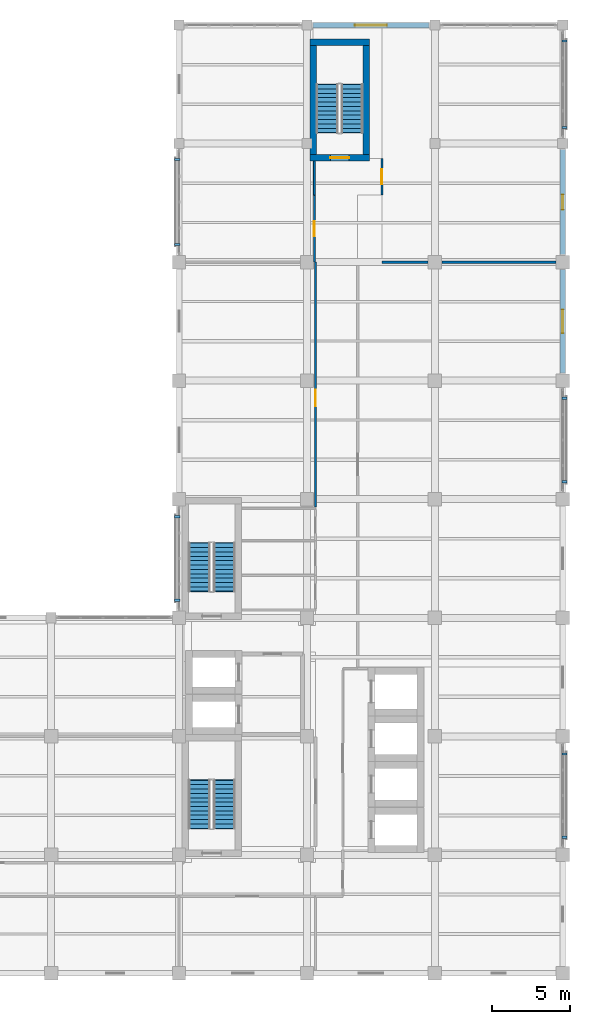
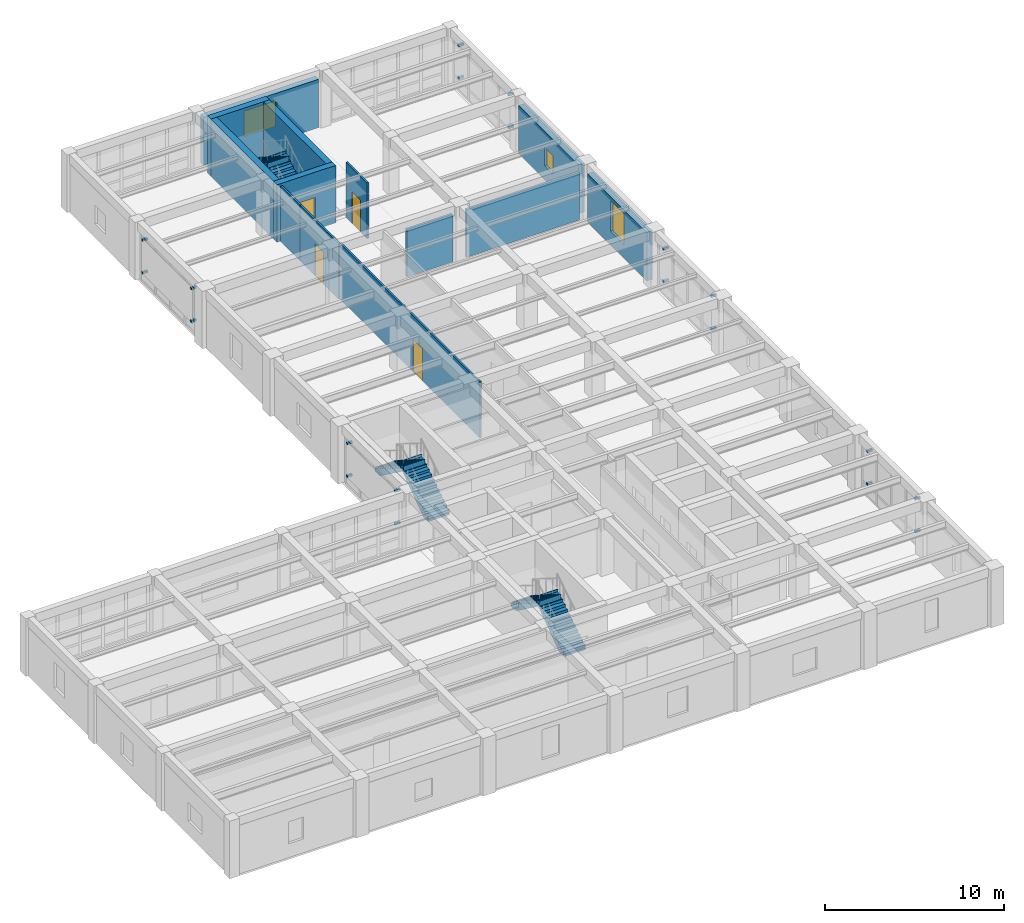
# One storey, part 11 of 16: 20 discrete accessories, 13 walls, 6 stair flights, 4 doors, 3 windows, 7 openings, 3 elements without a shape of their own.
"""IFC4 building model written with IfcOpenShell, lengths in metres."""

import ifcopenshell
import ifcopenshell.guid

model = None  # the IFC model being written
_history = None  # IfcOwnerHistory: only IFC2X3 demands one
_inside = {}  # id of a spatial element -> (the spatial element, [elements in it])
_under = {}  # id of a project, library or spatial element -> (it, [spatial elements below it])
_declared = {}  # id of a project -> (the project, [libraries it declares])
_typed = {}  # id of a type object -> (the type object, [elements of that type])
_made_of = {}  # id of a material, layer set ... -> (it, [elements and type objects made of it])


def new_model(schema):
    """Start an empty IFC model of exactly this schema.

    Asked for "IFC4X3", IfcOpenShell would pick the latest addendum, in which some entities
    have other attributes; the version numbers below select the first issue.
    IFC2X3 requires an IfcOwnerHistory on every rooted entity: one is made here for all.
    """
    global model, _history
    if schema == "IFC4X3":
        model = ifcopenshell.file(schema_version=(4, 3, 0, 0))
    else:
        model = ifcopenshell.file(schema=schema)
    _inside.clear()
    _under.clear()
    _declared.clear()
    _typed.clear()
    _made_of.clear()
    _history = None
    if model.schema == "IFC2X3":
        org = make("IfcOrganization", Name="unknown")
        user = make(
            "IfcPersonAndOrganization",
            ThePerson=make("IfcPerson", FamilyName="unknown"),
            TheOrganization=org,
        )
        app = make(
            "IfcApplication",
            ApplicationDeveloper=org,
            Version="unknown",
            ApplicationFullName="unknown",
            ApplicationIdentifier="unknown",
        )
        _history = make(
            "IfcOwnerHistory",
            OwningUser=user,
            OwningApplication=app,
            ChangeAction="ADDED",
            CreationDate=0,
        )
    return model


def make(cls, **values):
    """One entity of the class cls with the attributes given. An attribute that is None is left unset."""
    return model.create_entity(
        cls, **{name: value for name, value in values.items() if value is not None}
    )


def rooted(cls, **values):
    """An entity with a GlobalId (a new one), such as an element, a storey or a relation."""
    return make(cls, GlobalId=ifcopenshell.guid.new(), OwnerHistory=_history, **values)


def si_unit(unit_type, name, prefix=None):
    """IfcSIUnit, for example si_unit("LENGTHUNIT", "METRE", prefix="MILLI")."""
    return make("IfcSIUnit", UnitType=unit_type, Prefix=prefix, Name=name)


def assignment(units):
    """IfcUnitAssignment: the units of a project."""
    return None if units is None else make("IfcUnitAssignment", Units=units)


def point(xyz):
    """IfcCartesianPoint."""
    return None if xyz is None else make("IfcCartesianPoint", Coordinates=xyz)


def direction(xyz):
    """IfcDirection."""
    return None if xyz is None else make("IfcDirection", DirectionRatios=xyz)


def frame(location, z_axis=None, x_axis=None):
    """IfcAxis2Placement3D, a coordinate frame: its origin and axes. An axis left out is left unset."""
    return make(
        "IfcAxis2Placement3D",
        Location=point(location),
        Axis=direction(z_axis),
        RefDirection=direction(x_axis),
    )


def frame_2d(location, x_axis=None):
    """IfcAxis2Placement2D, a coordinate frame in the plane: its origin and x axis."""
    return make(
        "IfcAxis2Placement2D", Location=point(location), RefDirection=direction(x_axis)
    )


def origin():
    """The frame at (0, 0, 0) with its axes left unset."""
    return frame((0.0, 0.0, 0.0))


def origin_2d():
    """The frame at (0, 0) in the plane with its x axis left unset."""
    return frame_2d((0.0, 0.0))


def place(relative_to, where):
    """IfcLocalPlacement: puts the frame where relative to a parent placement (None: the world)."""
    return make(
        "IfcLocalPlacement", PlacementRelTo=relative_to, RelativePlacement=where
    )


def context(
    kind, dimensions, precision=None, world=None, true_north=None, identifier=None
):
    """IfcGeometricRepresentationContext, for example the 3D "Model" context."""
    return make(
        "IfcGeometricRepresentationContext",
        ContextIdentifier=identifier,
        ContextType=kind,
        CoordinateSpaceDimension=dimensions,
        Precision=precision,
        WorldCoordinateSystem=world,
        TrueNorth=true_north,
    )


def subcontext(parent, identifier, kind, view, scale=None):
    """IfcGeometricRepresentationSubContext, for example "Body" below "Model"."""
    return make(
        "IfcGeometricRepresentationSubContext",
        ContextIdentifier=identifier,
        ContextType=kind,
        ParentContext=parent,
        TargetScale=scale,
        TargetView=view,
    )


def project(units=None, contexts=None):
    """IfcProject with its units and contexts."""
    return rooted(
        "IfcProject",
        Name="project",
        RepresentationContexts=contexts,
        UnitsInContext=assignment(units),
    )


def spatial(cls, under=None, at=None, **own):
    """A site, building, storey or space (cls), placed at a placement, below another one or the project."""
    s = rooted(cls, ObjectPlacement=at, **own)
    if under is not None:
        _under.setdefault(under.id(), (under, []))[1].append(s)
    return s


def polyline(points):
    """IfcPolyline through the points."""
    return make("IfcPolyline", Points=[point(p) for p in points])


def profile(cls, at=None, kind="AREA", **sizes):
    """A parametric profile (cls). Its sizes go by their IFC names, for example OverallWidth=200.0."""
    return make(cls, ProfileType=kind, Position=at, **sizes)


def rectangle(**sizes):
    """IfcRectangleProfileDef."""
    return profile("IfcRectangleProfileDef", **sizes)


def outline(outer, holes=None, kind="AREA"):
    """IfcArbitraryClosedProfileDef: a profile drawn as a closed curve; with holes, ...WithVoids."""
    if holes is None:
        return make("IfcArbitraryClosedProfileDef", ProfileType=kind, OuterCurve=outer)
    return make(
        "IfcArbitraryProfileDefWithVoids",
        ProfileType=kind,
        OuterCurve=outer,
        InnerCurves=holes,
    )


def extrude(swept, where, along, depth):
    """IfcExtrudedAreaSolid: the profile swept, set in the frame where, extruded along a direction by depth."""
    return make(
        "IfcExtrudedAreaSolid",
        SweptArea=swept,
        Position=where,
        ExtrudedDirection=direction(along),
        Depth=depth,
    )


def shape(context_of_items, identifier, shape_type, items):
    """IfcShapeRepresentation: the items that make up one representation, for example the "Body"."""
    return make(
        "IfcShapeRepresentation",
        ContextOfItems=context_of_items,
        RepresentationIdentifier=identifier,
        RepresentationType=shape_type,
        Items=items,
    )


def material(Name=None, Category=None):
    """IfcMaterial."""
    return make("IfcMaterial", Name=Name, Category=Category)


def layer(
    of_material, thickness, ventilated=None, Name=None, Category=None, Priority=None
):
    """IfcMaterialLayer: one layer of a wall or slab, of a material (None: an air gap)."""
    return make(
        "IfcMaterialLayer",
        Material=of_material,
        LayerThickness=thickness,
        IsVentilated=ventilated,
        Name=Name,
        Category=Category,
        Priority=Priority,
    )


def layer_set(layers, Name=None):
    """IfcMaterialLayerSet."""
    return make("IfcMaterialLayerSet", MaterialLayers=layers, LayerSetName=Name)


def made_of(thing, what):
    """Note that an element or type object is made of a material, layer set ...; save() writes the relation."""
    if what is not None:
        _made_of.setdefault(what.id(), (what, []))[1].append(thing)
    return thing


def type_object(cls, material=None, **own):
    """A type object (cls), such as IfcWallType, which elements share."""
    return made_of(rooted(cls, **own), material)


def element(
    cls,
    number,
    at=None,
    inside=None,
    cuts=None,
    type_object=None,
    material=None,
    context=None,
    identifier="Body",
    shape_type=None,
    held_by="IfcProductDefinitionShape",
    body=None,
    shapes=None,
    **own,
):
    """One element of the class cls, such as IfcWall. Its Tag is "e" and its number.

    at: its placement. inside: the storey or other place that contains it. cuts: it is an
    opening in that element (IfcRelVoidsElement). A single representation is given by context,
    identifier, shape_type and body (its items); several are given by shapes. held_by: the class
    of the entity that holds the representations. save() writes the other relations.
    """
    e = rooted(cls, Tag="e%d" % number, ObjectPlacement=at, **own)
    if body is not None:
        shapes = [shape(context, identifier, shape_type, body)]
    if shapes is not None:
        e.Representation = make(held_by, Representations=shapes)
    if inside is not None:
        _inside.setdefault(inside.id(), (inside, []))[1].append(e)
    if cuts is not None:
        rooted(
            "IfcRelVoidsElement", RelatingBuildingElement=cuts, RelatedOpeningElement=e
        )
    if type_object is not None:
        _typed.setdefault(type_object.id(), (type_object, []))[1].append(e)
    return made_of(e, material)


def fill(opening, filler):
    """IfcRelFillsElement: the door or window that sits in an opening."""
    return rooted(
        "IfcRelFillsElement",
        RelatingOpeningElement=opening,
        RelatedBuildingElement=filler,
    )


def aggregate(whole, parts):
    """IfcRelAggregates: a whole, such as a stair, and the parts it consists of."""
    return rooted("IfcRelAggregates", RelatingObject=whole, RelatedObjects=parts)


def save(model, path):
    """Write the relations noted so far, then the file.

    IfcRelAggregates (storeys below a building ...), IfcRelContainedInSpatialStructure (elements
    in a storey), IfcRelDefinesByType, IfcRelAssociatesMaterial and IfcRelDeclares: one each for
    every whole, place, type object, material and project.
    """
    for whole, parts in _under.values():
        aggregate(whole, parts)
    for where, things in _inside.values():
        rooted(
            "IfcRelContainedInSpatialStructure",
            RelatedElements=things,
            RelatingStructure=where,
        )
    for kind, things in _typed.values():
        rooted("IfcRelDefinesByType", RelatedObjects=things, RelatingType=kind)
    for what, things in _made_of.values():
        rooted("IfcRelAssociatesMaterial", RelatedObjects=things, RelatingMaterial=what)
    for by, libraries in _declared.values():
        rooted("IfcRelDeclares", RelatingContext=by, RelatedDefinitions=libraries)
    model.write(path)


model = new_model("IFC4")

# Units and contexts
model_context = context("Model", 3, precision=1e-05, world=origin(), true_north=direction((0.0, 1.0)))
body_context = subcontext(model_context, "Body", "Model", "MODEL_VIEW")
ifc_project = project(units=[si_unit("LENGTHUNIT", "METRE"), si_unit("AREAUNIT", "SQUARE_METRE"), si_unit("VOLUMEUNIT", "CUBIC_METRE"), si_unit("PLANEANGLEUNIT", "RADIAN"), si_unit("MASSUNIT", "GRAM", prefix="KILO")], contexts=[model_context])

# Site, building, storey
site_placement = place(None, origin())
site = spatial("IfcSite", under=ifc_project, at=site_placement, CompositionType="ELEMENT")
building_placement = place(site_placement, origin())
building = spatial("IfcBuilding", under=site, at=building_placement, Name="Qandaris Square Conservatory and Botanical Centre", CompositionType="ELEMENT")
storey_placement = place(building_placement, frame((0.0, 0.0, 24.0)))
storey = spatial("IfcBuildingStorey", under=building, at=storey_placement, Name="L05", CompositionType="ELEMENT", Elevation=24.0)

# Walls
ifc_material_1 = material(Name="Gypsum Plasterboard", Category="gypsum")
ifc_layer_1 = layer(ifc_material_1, 0.14990234375)
ifc_layer_set_1 = layer_set([ifc_layer_1], Name="Gypsum Plasterboard")
wall_type_1 = type_object("IfcWallType", Name="Acoustic Laboratory Partition 150mm", PredefinedType="PARTITIONING", material=ifc_layer_set_1)
wall_1_placement = place(storey_placement, frame((152.199951171875, 62.199951171875, 0.0), z_axis=(0.0, 0.0, 1.0), x_axis=(1.0, 0.0, 0.0)))
element("IfcWall", 1, at=wall_1_placement, inside=storey, type_object=wall_type_1, Name="Interior Partition IW-L05-0235", PredefinedType="PARTITIONING", context=body_context, shape_type="SweptSolid", body=[
    extrude(rectangle(XDim=2.955078125, YDim=0.14990234375, at=frame_2d((1.4775390625, 0.0))), origin(), (0.0, 0.0, 1.0), 3.264892578125),
])
wall_2_placement = place(storey_placement, frame((156.044921875, 62.199951171875, 0.0), z_axis=(0.0, 0.0, 1.0), x_axis=(1.0, 0.0, 0.0)))
element("IfcWall", 2, at=wall_2_placement, inside=storey, type_object=wall_type_1, Name="Interior Partition IW-L05-0236", PredefinedType="PARTITIONING", context=body_context, shape_type="SweptSolid", body=[
    extrude(rectangle(XDim=7.31005859375, YDim=0.14990234375, at=frame_2d((3.655029296875, 0.0))), origin(), (0.0, 0.0, 1.0), 3.264892578125),
])

# Wall, opening, window
ifc_material_2 = material(Name="Precast concrete C40/50", Category="concrete")
ifc_layer_2 = layer(ifc_material_2, 0.360107421875)
ifc_layer_set_2 = layer_set([ifc_layer_2], Name="Precast concrete C40/50")
wall_type_2 = type_object("IfcWallType", Name="Architectural Precast Cladding Wall 360mm", PredefinedType="SOLIDWALL", material=ifc_layer_set_2)
wall_3_placement = place(storey_placement, frame((163.800048828125, 55.0849609375, 0.0), z_axis=(0.0, 0.0, 1.0), x_axis=(0.0, 1.0, 0.0)))
wall_3 = element("IfcWall", 3, at=wall_3_placement, inside=storey, type_object=wall_type_2, Name="Exterior Wall EW-TWR-L05-2-6", PredefinedType="SOLIDWALL", context=body_context, shape_type="SweptSolid", body=[
    extrude(rectangle(XDim=6.630126953125, YDim=0.360107421875, at=frame_2d((3.31494140625, 0.0))), origin(), (0.0, 0.0, 1.0), 3.31494140625),
])
opening_1_placement = place(wall_3_placement, frame((2.56494140625, 0.0, 0.949951171875)))
opening_1 = element("IfcOpeningElement", 4, at=opening_1_placement, cuts=wall_3, Name="Opening WN-02", PredefinedType="OPENING", context=body_context, shape_type="SweptSolid", body=[
    extrude(rectangle(XDim=1.5, YDim=2.10009765625, at=frame_2d((0.75, 1.050048828125))), frame((0.0, 0.19189453125, 0.0), z_axis=(0.0, -1.0, 0.0), x_axis=(1.0, 0.0, 0.0)), (0.0, 0.0, 1.0), 0.384033203125),
])
ifc_material_3 = material(Name="Tempered Low-E Glass", Category="glass")
window_type_1 = type_object("IfcWindowType", Name="Deep-Set Paired Research Window 1500x2100", PartitioningType="DOUBLE_PANEL_VERTICAL", PredefinedType="WINDOW", material=ifc_material_3)
window_1_placement = place(opening_1_placement, origin())
window_1 = element("IfcWindow", 5, at=window_1_placement, inside=storey, type_object=window_type_1, Name="Window EW-TWR-L05-2-6", OverallHeight=2.10009765625, OverallWidth=1.5, PartitioningType="DOUBLE_PANEL_VERTICAL", PredefinedType="WINDOW", context=body_context, shape_type="SweptSolid", body=[
    extrude(rectangle(XDim=1.5, YDim=2.10009765625, at=frame_2d((0.75, 1.050048828125))), frame((0.0, 0.030029296875, 0.0), z_axis=(0.0, -1.0, 0.0), x_axis=(1.0, 0.0, 0.0)), (0.0, 0.0, 1.0), 0.06005859375),
])
fill(opening_1, window_1)

wall_4_placement = place(storey_placement, frame((163.800048828125, 62.68505859375, 0.0), z_axis=(0.0, 0.0, 1.0), x_axis=(0.0, 1.0, 0.0)))
wall_4 = element("IfcWall", 6, at=wall_4_placement, inside=storey, type_object=wall_type_2, Name="Exterior Wall EW-TWR-L05-2-7", PredefinedType="SOLIDWALL", context=body_context, shape_type="SweptSolid", body=[
    extrude(rectangle(XDim=6.72998046875, YDim=0.360107421875, at=frame_2d((3.364990234375, 0.0))), origin(), (0.0, 0.0, 1.0), 3.31494140625),
])
opening_2_placement = place(wall_4_placement, frame((2.889892578125, 0.0, 0.949951171875)))
opening_2 = element("IfcOpeningElement", 7, at=opening_2_placement, cuts=wall_4, Name="Opening WN-13", PredefinedType="OPENING", context=body_context, shape_type="SweptSolid", body=[
    extrude(rectangle(XDim=0.949951171875, YDim=1.25, at=frame_2d((0.47509765625, 0.625))), frame((0.0, 0.19189453125, 0.0), z_axis=(0.0, -1.0, 0.0), x_axis=(1.0, 0.0, 0.0)), (0.0, 0.0, 1.0), 0.384033203125),
])
window_type_2 = type_object("IfcWindowType", Name="Solar Control Window 950x1250", PartitioningType="SINGLE_PANEL", PredefinedType="WINDOW", material=ifc_material_3)
window_2_placement = place(opening_2_placement, origin())
window_2 = element("IfcWindow", 8, at=window_2_placement, inside=storey, type_object=window_type_2, Name="Window EW-TWR-L05-2-7", OverallHeight=1.25, OverallWidth=0.949951171875, PartitioningType="SINGLE_PANEL", PredefinedType="WINDOW", context=body_context, shape_type="SweptSolid", body=[
    extrude(rectangle(XDim=0.949951171875, YDim=1.25, at=frame_2d((0.47509765625, 0.625))), frame((0.0, 0.030029296875, 0.0), z_axis=(0.0, -1.0, 0.0), x_axis=(1.0, 0.0, 0.0)), (0.0, 0.0, 1.0), 0.06005859375),
])
fill(opening_2, window_2)

wall_5_placement = place(storey_placement, frame((155.215087890625, 77.39990234375, 0.0), z_axis=(0.0, 0.0, 1.0), x_axis=(-1.0, 0.0, 0.0)))
wall_5 = element("IfcWall", 9, at=wall_5_placement, inside=storey, type_object=wall_type_2, Name="Exterior Wall EW-TWR-L05-3-2", PredefinedType="SOLIDWALL", context=body_context, shape_type="SweptSolid", body=[
    extrude(rectangle(XDim=7.43017578125, YDim=0.360107421875, at=frame_2d((3.715087890625, 0.0))), origin(), (0.0, 0.0, 1.0), 3.31494140625),
])
opening_3_placement = place(wall_5_placement, frame((2.68994140625, 0.0, 0.949951171875)))
opening_3 = element("IfcOpeningElement", 10, at=opening_3_placement, cuts=wall_5, Name="Opening WN-35", PredefinedType="OPENING", context=body_context, shape_type="SweptSolid", body=[
    extrude(rectangle(XDim=2.050048828125, YDim=1.75, at=frame_2d((1.02490234375, 0.875))), frame((0.0, 0.19189453125, 0.0), z_axis=(0.0, -1.0, 0.0), x_axis=(1.0, 0.0, 0.0)), (0.0, 0.0, 1.0), 0.384033203125),
])
window_type_3 = type_object("IfcWindowType", Name="Solar Control Window 2050x1750", PartitioningType="DOUBLE_PANEL_VERTICAL", PredefinedType="WINDOW", material=ifc_material_3)
window_3_placement = place(opening_3_placement, origin())
window_3 = element("IfcWindow", 11, at=window_3_placement, inside=storey, type_object=window_type_3, Name="Window EW-TWR-L05-3-2", OverallHeight=1.75, OverallWidth=2.050048828125, PartitioningType="DOUBLE_PANEL_VERTICAL", PredefinedType="WINDOW", context=body_context, shape_type="SweptSolid", body=[
    extrude(rectangle(XDim=2.050048828125, YDim=1.75, at=frame_2d((1.02490234375, 0.875))), frame((0.0, 0.030029296875, 0.0), z_axis=(0.0, -1.0, 0.0), x_axis=(1.0, 0.0, 0.0)), (0.0, 0.0, 1.0), 0.06005859375),
])
fill(opening_3, window_3)

# Wall, opening, door
ifc_material_4 = material(Name="Concrete C50/60", Category="concrete")
ifc_layer_3 = layer(ifc_material_4, 0.39990234375)
ifc_layer_set_3 = layer_set([ifc_layer_3], Name="Concrete C50/60")
wall_type_3 = type_object("IfcWallType", Name="RC Stair Core Shear Wall 400mm", PredefinedType="SHEAR", material=ifc_layer_set_3)
wall_6_placement = place(storey_placement, frame((147.60009765625, 68.89990234375, 0.0), z_axis=(0.0, 0.0, 1.0), x_axis=(1.0, 0.0, 0.0)))
wall_6 = element("IfcWall", 12, at=wall_6_placement, inside=storey, type_object=wall_type_3, Name="ST-3 Core Shear Wall South (L05)", PredefinedType="SHEAR", context=body_context, shape_type="SweptSolid", body=[
    extrude(rectangle(XDim=3.7998046875, YDim=0.39990234375, at=frame_2d((1.89990234375, 0.0))), origin(), (0.0, 0.0, 1.0), 3.929931640625),
])
opening_4_placement = place(wall_6_placement, frame((1.300048828125, 0.0, 0.0)))
opening_4 = element("IfcOpeningElement", 13, at=opening_4_placement, cuts=wall_6, Name="Opening D-ST1", PredefinedType="OPENING", context=body_context, shape_type="SweptSolid", body=[
    extrude(rectangle(XDim=1.199951171875, YDim=2.199951171875, at=frame_2d((0.60009765625, 1.10009765625))), frame((0.0, 0.2119140625, 0.0), z_axis=(0.0, -1.0, 0.0), x_axis=(1.0, 0.0, 0.0)), (0.0, 0.0, 1.0), 0.423828125),
])
ifc_material_5 = material(Name="Steel S355", Category="steel")
door_type_1 = type_object("IfcDoorType", Name="Exit Stair Core Fire Door 1200x2200", OperationType="NOTDEFINED", PredefinedType="DOOR", material=ifc_material_5)
door_1_placement = place(opening_4_placement, origin())
door_1 = element("IfcDoor", 14, at=door_1_placement, inside=storey, type_object=door_type_1, Name="DR-0212 ST-3 Stair Core Door (L05)", OperationType="SINGLE_SWING_LEFT", OverallHeight=2.199951171875, OverallWidth=1.199951171875, PredefinedType="DOOR", context=body_context, shape_type="SweptSolid", body=[
    extrude(rectangle(XDim=1.199951171875, YDim=2.199951171875, at=frame_2d((0.60009765625, 1.10009765625))), frame((0.0, 0.02490234375, 0.0), z_axis=(0.0, -1.0, 0.0), x_axis=(1.0, 0.0, 0.0)), (0.0, 0.0, 1.0), 0.050048828125),
])
fill(opening_4, door_1)

# Walls
wall_7_placement = place(storey_placement, frame((147.60009765625, 76.300048828125, 0.0), z_axis=(0.0, 0.0, 1.0), x_axis=(1.0, 0.0, 0.0)))
element("IfcWall", 15, at=wall_7_placement, inside=storey, type_object=wall_type_3, Name="ST-3 Core Shear Wall North (L05)", PredefinedType="SHEAR", context=body_context, shape_type="SweptSolid", body=[
    extrude(rectangle(XDim=3.7998046875, YDim=0.39990234375, at=frame_2d((1.89990234375, 0.0))), origin(), (0.0, 0.0, 1.0), 3.929931640625),
])
for number, where, z_axis, x_axis, name in (
    (16, (147.800048828125, 69.10009765625, 0.0), (0.0, 0.0, 1.0), (0.0, 1.0, 0.0), "ST-3 Core Shear Wall West (L05)"),
    (17, (151.199951171875, 69.10009765625, 0.0), (0.0, 0.0, 1.0), (0.0, 1.0, 0.0), "ST-3 Core Shear Wall East (L05)"),
):
    element("IfcWall", number, at=place(storey_placement, frame(where, z_axis=z_axis, x_axis=x_axis)), inside=storey, type_object=wall_type_3, Name=name, PredefinedType="SHEAR", context=body_context, shape_type="SweptSolid", body=[
        extrude(rectangle(XDim=7.0, YDim=0.39990234375, at=frame_2d((3.5, 0.0))), origin(), (0.0, 0.0, 1.0), 3.929931640625),
    ])

# Wall, opening, door
ifc_layer_4 = layer(ifc_material_1, 0.1201171875)
ifc_layer_set_4 = layer_set([ifc_layer_4], Name="Gypsum Plasterboard")
wall_type_4 = type_object("IfcWallType", Name="Standard Research Partition 120mm", PredefinedType="PARTITIONING", material=ifc_layer_set_4)
wall_8_placement = place(storey_placement, frame((147.949951171875, 46.510009765625, 0.0), z_axis=(0.0, 0.0, 1.0), x_axis=(0.0, 1.0, 0.0)))
wall_8 = element("IfcWall", 18, at=wall_8_placement, inside=storey, type_object=wall_type_4, Name="Interior Partition IW-L05-0228", PredefinedType="PARTITIONING", context=body_context, shape_type="SweptSolid", body=[
    extrude(rectangle(XDim=15.68994140625, YDim=0.1201171875, at=frame_2d((7.844970703125, 0.0))), origin(), (0.0, 0.0, 1.0), 3.804931640625),
])
opening_5_placement = place(wall_8_placement, frame((6.443115234375, 0.0, 0.0)))
opening_5 = element("IfcOpeningElement", 19, at=opening_5_placement, cuts=wall_8, Name="Opening D-LAB2", PredefinedType="OPENING", context=body_context, shape_type="SweptSolid", body=[
    extrude(rectangle(XDim=1.050048828125, YDim=2.199951171875, at=frame_2d((0.52490234375, 1.10009765625))), frame((0.0, 0.072021484375, 0.0), z_axis=(0.0, -1.0, 0.0), x_axis=(1.0, 0.0, 0.0)), (0.0, 0.0, 1.0), 0.14404296875),
])
ifc_material_6 = material(Name="Engineered Oak Timber", Category="wood")
door_type_2 = type_object("IfcDoorType", Name="Analytical Laboratory Single Door 1050x2200", OperationType="NOTDEFINED", PredefinedType="DOOR", material=ifc_material_6)
door_2_placement = place(opening_5_placement, origin())
door_2 = element("IfcDoor", 20, at=door_2_placement, inside=storey, type_object=door_type_2, Name="DR-0205 Sabkha Ecology Specimen Prep Room Door", OperationType="SINGLE_SWING_LEFT", OverallHeight=2.199951171875, OverallWidth=1.050048828125, PredefinedType="DOOR", context=body_context, shape_type="SweptSolid", body=[
    extrude(rectangle(XDim=1.050048828125, YDim=2.199951171875, at=frame_2d((0.52490234375, 1.10009765625))), frame((0.0, 0.02490234375, 0.0), z_axis=(0.0, -1.0, 0.0), x_axis=(1.0, 0.0, 0.0)), (0.0, 0.0, 1.0), 0.050048828125),
])
fill(opening_5, door_2)

wall_9_placement = place(storey_placement, frame((147.875, 62.199951171875, 0.0), z_axis=(0.0, 0.0, 1.0), x_axis=(0.0, 1.0, 0.0)))
wall_9 = element("IfcWall", 21, at=wall_9_placement, inside=storey, type_object=wall_type_4, Name="Interior Partition IW-L05-0229", PredefinedType="PARTITIONING", context=body_context, shape_type="SweptSolid", body=[
    extrude(rectangle(XDim=4.300048828125, YDim=0.1201171875, at=frame_2d((2.14990234375, 0.0))), origin(), (0.0, 0.0, 1.0), 3.804931640625),
])
opening_6_placement = place(wall_9_placement, frame((1.675048828125, 0.0, 0.0)))
opening_6 = element("IfcOpeningElement", 22, at=opening_6_placement, cuts=wall_9, Name="Opening D-OFF1", PredefinedType="OPENING", context=body_context, shape_type="SweptSolid", body=[
    extrude(rectangle(XDim=0.949951171875, YDim=2.199951171875, at=frame_2d((0.47509765625, 1.10009765625))), frame((0.0, 0.072021484375, 0.0), z_axis=(0.0, -1.0, 0.0), x_axis=(1.0, 0.0, 0.0)), (0.0, 0.0, 1.0), 0.14404296875),
])
door_type_3 = type_object("IfcDoorType", Name="Research Office Acoustic Door 950x2200", OperationType="NOTDEFINED", PredefinedType="DOOR", material=ifc_material_6)
door_3_placement = place(opening_6_placement, frame((0.949951171875, 0.0, 0.0), z_axis=(0.0, 0.0, 1.0), x_axis=(-1.0, 0.0, 0.0)))
door_3 = element("IfcDoor", 23, at=door_3_placement, inside=storey, type_object=door_type_3, Name="DR-0207 Plant Physiology Collaborative Seminar Room Door", OperationType="SINGLE_SWING_RIGHT", OverallHeight=2.199951171875, OverallWidth=0.949951171875, PredefinedType="DOOR", context=body_context, shape_type="SweptSolid", body=[
    extrude(rectangle(XDim=0.949951171875, YDim=2.199951171875, at=frame_2d((0.47509765625, 1.10009765625))), frame((0.0, 0.02490234375, 0.0), z_axis=(0.0, -1.0, 0.0), x_axis=(1.0, 0.0, 0.0)), (0.0, 0.0, 1.0), 0.050048828125),
])
fill(opening_6, door_3)

# Wall
wall_10_placement = place(storey_placement, frame((147.875, 66.5, 0.0), z_axis=(0.0, 0.0, 1.0), x_axis=(0.0, 1.0, 0.0)))
element("IfcWall", 24, at=wall_10_placement, inside=storey, type_object=wall_type_4, Name="Interior Partition IW-L05-0230", PredefinedType="PARTITIONING", context=body_context, shape_type="SweptSolid", body=[
    extrude(rectangle(XDim=2.169921875, YDim=0.1201171875, at=frame_2d((1.0849609375, 0.0))), origin(), (0.0, 0.0, 1.0), 3.804931640625),
])

# Wall, opening, door
wall_11_placement = place(storey_placement, frame((152.199951171875, 68.85009765625, 0.0), z_axis=(0.0, 0.0, 1.0), x_axis=(0.0, -1.0, 0.0)))
wall_11 = element("IfcWall", 25, at=wall_11_placement, inside=storey, type_object=wall_type_4, Name="Interior Partition IW-L05-0231", PredefinedType="PARTITIONING", context=body_context, shape_type="SweptSolid", body=[
    extrude(rectangle(XDim=2.35009765625, YDim=0.1201171875, at=frame_2d((1.175048828125, 0.0))), origin(), (0.0, 0.0, 1.0), 3.804931640625),
])
opening_7_placement = place(wall_11_placement, frame((0.699951171875, 0.0, 0.0)))
opening_7 = element("IfcOpeningElement", 26, at=opening_7_placement, cuts=wall_11, Name="Opening D-OFF1", PredefinedType="OPENING", context=body_context, shape_type="SweptSolid", body=[
    extrude(rectangle(XDim=0.949951171875, YDim=2.199951171875, at=frame_2d((0.47509765625, 1.10009765625))), frame((0.0, 0.072021484375, 0.0), z_axis=(0.0, -1.0, 0.0), x_axis=(1.0, 0.0, 0.0)), (0.0, 0.0, 1.0), 0.14404296875),
])
door_4_placement = place(opening_7_placement, origin())
door_4 = element("IfcDoor", 27, at=door_4_placement, inside=storey, type_object=door_type_3, Name="DR-0208 Floor L05 Staff Write-Up Lounge Door", OperationType="SINGLE_SWING_LEFT", OverallHeight=2.199951171875, OverallWidth=0.949951171875, PredefinedType="DOOR", context=body_context, shape_type="SweptSolid", body=[
    extrude(rectangle(XDim=0.949951171875, YDim=2.199951171875, at=frame_2d((0.47509765625, 1.10009765625))), frame((0.0, 0.02490234375, 0.0), z_axis=(0.0, -1.0, 0.0), x_axis=(1.0, 0.0, 0.0)), (0.0, 0.0, 1.0), 0.050048828125),
])
fill(opening_7, door_4)

# Stair, stair flights
ifc_material_7 = material(Name="Concrete C40/50", Category="concrete")
stair_type = type_object("IfcStairType", Name="Core Escape Scissor Stair", PredefinedType="HALF_TURN_STAIR", material=ifc_material_7)
stair_1_placement = place(storey_placement, origin())
stair_1 = element("IfcStair", 28, at=stair_1_placement, inside=storey, type_object=stair_type, Name="L05 Tower South Exit Stair ST-1", PredefinedType="HALF_TURN_STAIR")
stair_flight_type = type_object("IfcStairFlightType", Name="RC Precast Stair Flight 1400mm", PredefinedType="STRAIGHT", material=ifc_material_2)
stair_flight_1_placement = place(storey_placement, frame((142.10009765625, 25.89990234375, 0.0), z_axis=(0.0, 0.0, 1.0), x_axis=(0.0, 1.0, 0.0)))
stair_flight_1 = element("IfcStairFlight", 29, at=stair_flight_1_placement, type_object=stair_flight_type, Name="ST-1 flight 1", NumberOfRisers=12, NumberOfTreads=11, PredefinedType="STRAIGHT", RiserHeight=0.175, TreadLength=0.28, context=body_context, shape_type="SweptSolid", body=[
    extrude(outline(polyline([(-0.034912109375, 0.0), (0.0, 0.0), (0.0, 0.175048828125), (0.280029296875, 0.175048828125), (0.280029296875, 0.35009765625), (0.56005859375, 0.35009765625), (0.56005859375, 0.52490234375), (0.840087890625, 0.52490234375), (0.840087890625, 0.699951171875), (1.1201171875, 0.699951171875), (1.1201171875, 0.875), (1.39990234375, 0.875), (1.39990234375, 1.050048828125), (1.679931640625, 1.050048828125), (1.679931640625, 1.22509765625), (1.9599609375, 1.22509765625), (1.9599609375, 1.39990234375), (2.239990234375, 1.39990234375), (2.239990234375, 1.574951171875), (2.52001953125, 1.574951171875), (2.52001953125, 1.75), (2.800048828125, 1.75), (2.800048828125, 1.925048828125), (3.080078125, 1.925048828125), (3.080078125, 2.10009765625), (3.114990234375, 2.10009765625), (3.114990234375, 1.748291015625), (3.080078125, 1.748291015625), (0.5068359375, -0.139892578125), (-0.034912109375, -0.139892578125), (-0.034912109375, 0.0)])), frame((0.0, 0.699951171875, 0.0), z_axis=(0.0, -1.0, 0.0), x_axis=(1.0, 0.0, 0.0)), (0.0, 0.0, 1.0), 1.39990234375),
])
stair_flight_2_placement = place(storey_placement, frame((140.5, 28.97998046875, 2.10009765625), z_axis=(0.0, 0.0, 1.0), x_axis=(0.0, -1.0, 0.0)))
stair_flight_2 = element("IfcStairFlight", 30, at=stair_flight_2_placement, type_object=stair_flight_type, Name="ST-1 flight 2", NumberOfRisers=12, NumberOfTreads=11, PredefinedType="STRAIGHT", RiserHeight=0.175, TreadLength=0.28, context=body_context, shape_type="SweptSolid", body=[
    extrude(outline(polyline([(-0.034912109375, 0.0), (0.0, 0.0), (0.0, 0.175048828125), (0.280029296875, 0.175048828125), (0.280029296875, 0.35009765625), (0.56005859375, 0.35009765625), (0.56005859375, 0.52490234375), (0.840087890625, 0.52490234375), (0.840087890625, 0.699951171875), (1.1201171875, 0.699951171875), (1.1201171875, 0.875), (1.39990234375, 0.875), (1.39990234375, 1.050048828125), (1.679931640625, 1.050048828125), (1.679931640625, 1.22509765625), (1.9599609375, 1.22509765625), (1.9599609375, 1.39990234375), (2.239990234375, 1.39990234375), (2.239990234375, 1.574951171875), (2.52001953125, 1.574951171875), (2.52001953125, 1.75), (2.800048828125, 1.75), (2.800048828125, 1.925048828125), (3.080078125, 1.925048828125), (3.080078125, 2.10009765625), (3.114990234375, 2.10009765625), (3.114990234375, 1.748291015625), (3.080078125, 1.748291015625), (0.5068359375, -0.139892578125), (-0.034912109375, -0.139892578125), (-0.034912109375, 0.0)])), frame((0.0, 0.699951171875, 0.0), z_axis=(0.0, -1.0, 0.0), x_axis=(1.0, 0.0, 0.0)), (0.0, 0.0, 1.0), 1.39990234375),
])
aggregate(stair_1, [stair_flight_1, stair_flight_2])

stair_2_placement = place(storey_placement, origin())
stair_2 = element("IfcStair", 31, at=stair_2_placement, inside=storey, type_object=stair_type, Name="L05 Tower North Exit Stair ST-2", PredefinedType="HALF_TURN_STAIR")
stair_flight_3_placement = place(storey_placement, frame((142.10009765625, 41.10009765625, 0.0), z_axis=(0.0, 0.0, 1.0), x_axis=(0.0, 1.0, 0.0)))
stair_flight_3 = element("IfcStairFlight", 32, at=stair_flight_3_placement, type_object=stair_flight_type, Name="ST-2 flight 1", NumberOfRisers=12, NumberOfTreads=11, PredefinedType="STRAIGHT", RiserHeight=0.175, TreadLength=0.28, context=body_context, shape_type="SweptSolid", body=[
    extrude(outline(polyline([(-0.034912109375, 0.0), (0.0, 0.0), (0.0, 0.175048828125), (0.280029296875, 0.175048828125), (0.280029296875, 0.35009765625), (0.56005859375, 0.35009765625), (0.56005859375, 0.52490234375), (0.840087890625, 0.52490234375), (0.840087890625, 0.699951171875), (1.1201171875, 0.699951171875), (1.1201171875, 0.875), (1.39990234375, 0.875), (1.39990234375, 1.050048828125), (1.679931640625, 1.050048828125), (1.679931640625, 1.22509765625), (1.9599609375, 1.22509765625), (1.9599609375, 1.39990234375), (2.239990234375, 1.39990234375), (2.239990234375, 1.574951171875), (2.52001953125, 1.574951171875), (2.52001953125, 1.75), (2.800048828125, 1.75), (2.800048828125, 1.925048828125), (3.080078125, 1.925048828125), (3.080078125, 2.10009765625), (3.114990234375, 2.10009765625), (3.114990234375, 1.748291015625), (3.080078125, 1.748291015625), (0.5068359375, -0.139892578125), (-0.034912109375, -0.139892578125), (-0.034912109375, 0.0)])), frame((0.0, 0.699951171875, 0.0), z_axis=(0.0, -1.0, 0.0), x_axis=(1.0, 0.0, 0.0)), (0.0, 0.0, 1.0), 1.39990234375),
])
stair_flight_4_placement = place(storey_placement, frame((140.5, 44.179931640625, 2.10009765625), z_axis=(0.0, 0.0, 1.0), x_axis=(0.0, -1.0, 0.0)))
stair_flight_4 = element("IfcStairFlight", 33, at=stair_flight_4_placement, type_object=stair_flight_type, Name="ST-2 flight 2", NumberOfRisers=12, NumberOfTreads=11, PredefinedType="STRAIGHT", RiserHeight=0.175, TreadLength=0.28, context=body_context, shape_type="SweptSolid", body=[
    extrude(outline(polyline([(-0.034912109375, 0.0), (0.0, 0.0), (0.0, 0.175048828125), (0.280029296875, 0.175048828125), (0.280029296875, 0.35009765625), (0.56005859375, 0.35009765625), (0.56005859375, 0.52490234375), (0.840087890625, 0.52490234375), (0.840087890625, 0.699951171875), (1.1201171875, 0.699951171875), (1.1201171875, 0.875), (1.39990234375, 0.875), (1.39990234375, 1.050048828125), (1.679931640625, 1.050048828125), (1.679931640625, 1.22509765625), (1.9599609375, 1.22509765625), (1.9599609375, 1.39990234375), (2.239990234375, 1.39990234375), (2.239990234375, 1.574951171875), (2.52001953125, 1.574951171875), (2.52001953125, 1.75), (2.800048828125, 1.75), (2.800048828125, 1.925048828125), (3.080078125, 1.925048828125), (3.080078125, 2.10009765625), (3.114990234375, 2.10009765625), (3.114990234375, 1.748291015625), (3.080078125, 1.748291015625), (0.5068359375, -0.139892578125), (-0.034912109375, -0.139892578125), (-0.034912109375, 0.0)])), frame((0.0, 0.699951171875, 0.0), z_axis=(0.0, -1.0, 0.0), x_axis=(1.0, 0.0, 0.0)), (0.0, 0.0, 1.0), 1.39990234375),
])
aggregate(stair_2, [stair_flight_3, stair_flight_4])

stair_3_placement = place(storey_placement, origin())
stair_3 = element("IfcStair", 34, at=stair_3_placement, inside=storey, type_object=stair_type, Name="L05 Herbarium North Exit Stair ST-3", PredefinedType="HALF_TURN_STAIR")
stair_flight_5_placement = place(storey_placement, frame((150.300048828125, 70.5, 0.0), z_axis=(0.0, 0.0, 1.0), x_axis=(0.0, 1.0, 0.0)))
stair_flight_5 = element("IfcStairFlight", 35, at=stair_flight_5_placement, type_object=stair_flight_type, Name="ST-3 flight 1", NumberOfRisers=12, NumberOfTreads=11, PredefinedType="STRAIGHT", RiserHeight=0.175, TreadLength=0.28, context=body_context, shape_type="SweptSolid", body=[
    extrude(outline(polyline([(-0.034912109375, 0.0), (0.0, 0.0), (0.0, 0.175048828125), (0.280029296875, 0.175048828125), (0.280029296875, 0.35009765625), (0.56005859375, 0.35009765625), (0.56005859375, 0.52490234375), (0.840087890625, 0.52490234375), (0.840087890625, 0.699951171875), (1.1201171875, 0.699951171875), (1.1201171875, 0.875), (1.39990234375, 0.875), (1.39990234375, 1.050048828125), (1.679931640625, 1.050048828125), (1.679931640625, 1.22509765625), (1.9599609375, 1.22509765625), (1.9599609375, 1.39990234375), (2.239990234375, 1.39990234375), (2.239990234375, 1.574951171875), (2.52001953125, 1.574951171875), (2.52001953125, 1.75), (2.800048828125, 1.75), (2.800048828125, 1.925048828125), (3.080078125, 1.925048828125), (3.080078125, 2.10009765625), (3.114990234375, 2.10009765625), (3.114990234375, 1.748291015625), (3.080078125, 1.748291015625), (0.5068359375, -0.139892578125), (-0.034912109375, -0.139892578125), (-0.034912109375, 0.0)])), frame((0.0, 0.699951171875, 0.0), z_axis=(0.0, -1.0, 0.0), x_axis=(1.0, 0.0, 0.0)), (0.0, 0.0, 1.0), 1.39990234375),
])
stair_flight_6_placement = place(storey_placement, frame((148.699951171875, 73.580078125, 2.10009765625), z_axis=(0.0, 0.0, 1.0), x_axis=(0.0, -1.0, 0.0)))
stair_flight_6 = element("IfcStairFlight", 36, at=stair_flight_6_placement, type_object=stair_flight_type, Name="ST-3 flight 2", NumberOfRisers=12, NumberOfTreads=11, PredefinedType="STRAIGHT", RiserHeight=0.175, TreadLength=0.28, context=body_context, shape_type="SweptSolid", body=[
    extrude(outline(polyline([(-0.034912109375, 0.0), (0.0, 0.0), (0.0, 0.175048828125), (0.280029296875, 0.175048828125), (0.280029296875, 0.35009765625), (0.56005859375, 0.35009765625), (0.56005859375, 0.52490234375), (0.840087890625, 0.52490234375), (0.840087890625, 0.699951171875), (1.1201171875, 0.699951171875), (1.1201171875, 0.875), (1.39990234375, 0.875), (1.39990234375, 1.050048828125), (1.679931640625, 1.050048828125), (1.679931640625, 1.22509765625), (1.9599609375, 1.22509765625), (1.9599609375, 1.39990234375), (2.239990234375, 1.39990234375), (2.239990234375, 1.574951171875), (2.52001953125, 1.574951171875), (2.52001953125, 1.75), (2.800048828125, 1.75), (2.800048828125, 1.925048828125), (3.080078125, 1.925048828125), (3.080078125, 2.10009765625), (3.114990234375, 2.10009765625), (3.114990234375, 1.748291015625), (3.080078125, 1.748291015625), (0.5068359375, -0.139892578125), (-0.034912109375, -0.139892578125), (-0.034912109375, 0.0)])), frame((0.0, 0.699951171875, 0.0), z_axis=(0.0, -1.0, 0.0), x_axis=(1.0, 0.0, 0.0)), (0.0, 0.0, 1.0), 1.39990234375),
])
aggregate(stair_3, [stair_flight_5, stair_flight_6])

# Discrete accessories
discrete_accessory_type = type_object("IfcDiscreteAccessoryType", Name="Mashrabiya Support Outrigger Bracket", PredefinedType="BRACKET", material=ifc_material_5)
for number, where, z_axis, x_axis, name in (
    (37, (163.909912109375, 25.324951171875, 0.84912109375), (0.0, 0.0, 1.0), (0.0, 1.0, 0.0), "Mashrabiya Bracket CW-TWR-L05-2-2-BRK-6-249"),
    (38, (163.909912109375, 25.324951171875, 3.080078125), (0.0, 0.0, 1.0), (0.0, 1.0, 0.0), "Mashrabiya Bracket CW-TWR-L05-2-2-BRK-6-272"),
    (39, (163.909912109375, 30.675048828125, 0.84912109375), (0.0, 0.0, 1.0), (0.0, 1.0, 0.0), "Mashrabiya Bracket CW-TWR-L05-2-2-BRK-59-249"),
    (40, (163.909912109375, 30.675048828125, 3.080078125), (0.0, 0.0, 1.0), (0.0, 1.0, 0.0), "Mashrabiya Bracket CW-TWR-L05-2-2-BRK-59-272"),
    (41, (163.909912109375, 48.125, 0.84912109375), (0.0, 0.0, 1.0), (0.0, 1.0, 0.0), "Mashrabiya Bracket CW-TWR-L05-2-5-BRK-6-249"),
    (42, (163.909912109375, 48.125, 3.080078125), (0.0, 0.0, 1.0), (0.0, 1.0, 0.0), "Mashrabiya Bracket CW-TWR-L05-2-5-BRK-6-272"),
    (43, (163.909912109375, 53.47509765625, 0.84912109375), (0.0, 0.0, 1.0), (0.0, 1.0, 0.0), "Mashrabiya Bracket CW-TWR-L05-2-5-BRK-60-249"),
    (44, (163.909912109375, 53.47509765625, 3.080078125), (0.0, 0.0, 1.0), (0.0, 1.0, 0.0), "Mashrabiya Bracket CW-TWR-L05-2-5-BRK-60-272"),
    (45, (163.909912109375, 70.824951171875, 0.84912109375), (0.0, 0.0, 1.0), (0.0, 1.0, 0.0), "Mashrabiya Bracket CW-TWR-L05-2-8-BRK-6-249"),
    (46, (163.909912109375, 70.824951171875, 3.080078125), (0.0, 0.0, 1.0), (0.0, 1.0, 0.0), "Mashrabiya Bracket CW-TWR-L05-2-8-BRK-6-272"),
    (47, (163.909912109375, 76.375, 0.84912109375), (0.0, 0.0, 1.0), (0.0, 1.0, 0.0), "Mashrabiya Bracket CW-TWR-L05-2-8-BRK-62-249"),
    (48, (163.909912109375, 76.375, 3.080078125), (0.0, 0.0, 1.0), (0.0, 1.0, 0.0), "Mashrabiya Bracket CW-TWR-L05-2-8-BRK-62-272"),
    (49, (139.090087890625, 68.77490234375, 0.84912109375), (0.0, 0.0, 1.0), (0.0, -1.0, 0.0), "Mashrabiya Bracket CW-TWR-L05-4-2-BRK-6-249"),
    (50, (139.090087890625, 68.77490234375, 3.080078125), (0.0, 0.0, 1.0), (0.0, -1.0, 0.0), "Mashrabiya Bracket CW-TWR-L05-4-2-BRK-6-272"),
    (51, (139.090087890625, 63.324951171875, 0.84912109375), (0.0, 0.0, 1.0), (0.0, -1.0, 0.0), "Mashrabiya Bracket CW-TWR-L05-4-2-BRK-60-249"),
    (52, (139.090087890625, 63.324951171875, 3.080078125), (0.0, 0.0, 1.0), (0.0, -1.0, 0.0), "Mashrabiya Bracket CW-TWR-L05-4-2-BRK-60-272"),
    (53, (139.090087890625, 45.875, 0.84912109375), (0.0, 0.0, 1.0), (0.0, -1.0, 0.0), "Mashrabiya Bracket CW-TWR-L05-4-5-BRK-6-249"),
    (54, (139.090087890625, 45.875, 3.080078125), (0.0, 0.0, 1.0), (0.0, -1.0, 0.0), "Mashrabiya Bracket CW-TWR-L05-4-5-BRK-6-272"),
    (55, (139.090087890625, 40.52490234375, 0.84912109375), (0.0, 0.0, 1.0), (0.0, -1.0, 0.0), "Mashrabiya Bracket CW-TWR-L05-4-5-BRK-60-249"),
    (56, (139.090087890625, 40.52490234375, 3.080078125), (0.0, 0.0, 1.0), (0.0, -1.0, 0.0), "Mashrabiya Bracket CW-TWR-L05-4-5-BRK-60-272"),
):
    element("IfcDiscreteAccessory", number, at=place(storey_placement, frame(where, z_axis=z_axis, x_axis=x_axis)), inside=storey, type_object=discrete_accessory_type, Name=name, PredefinedType="BRACKET", context=body_context, shape_type="SweptSolid", body=[
        extrude(rectangle(XDim=0.139892578125, YDim=0.340087890625, at=origin_2d()), origin(), (0.0, 0.0, 1.0), 0.139892578125),
    ])

save(model, "model.ifc")
